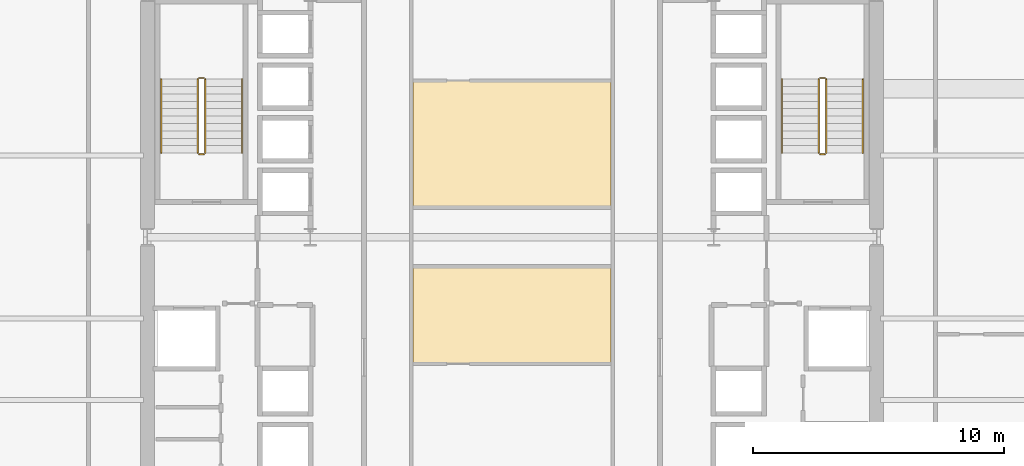
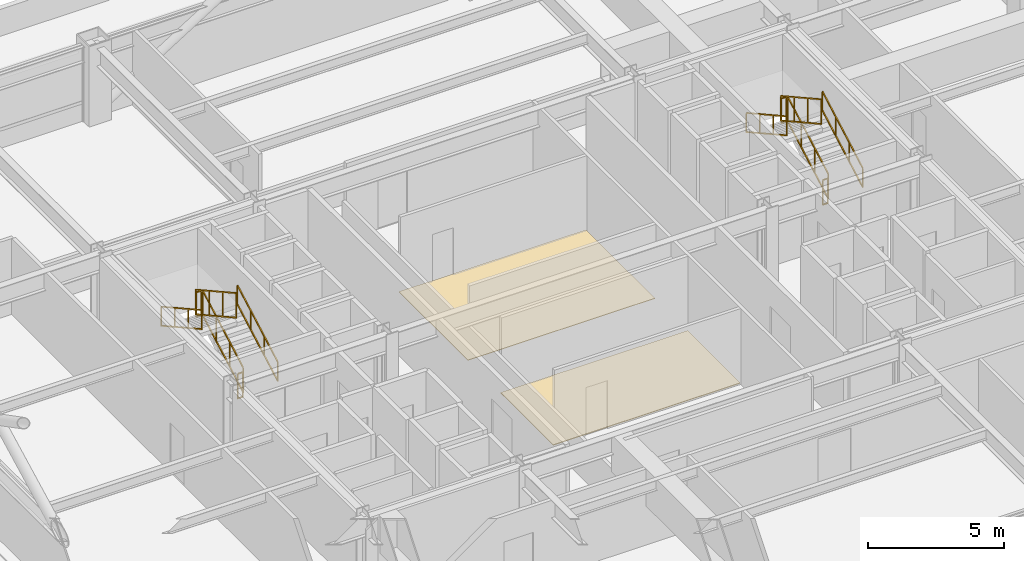
# One storey, part 33 of 33: 12 railings, 2 coverings.
"""IFC4 building model written with IfcOpenShell, lengths in metres."""

from ifc_helpers import new_model, si_unit, direction, frame, origin, origin_2d, place, context, subcontext, project, spatial, polyline, rectangle, outline, extrude, material, layer, layer_set, type_object, element, save


model = new_model("IFC4")

# Units and contexts
model_context = context("Model", 3, precision=1e-05, world=origin(), true_north=direction((0.0, 1.0)))
body_context = subcontext(model_context, "Body", "Model", "MODEL_VIEW")
ifc_project = project(units=[si_unit("LENGTHUNIT", "METRE"), si_unit("AREAUNIT", "SQUARE_METRE"), si_unit("VOLUMEUNIT", "CUBIC_METRE"), si_unit("PLANEANGLEUNIT", "RADIAN"), si_unit("MASSUNIT", "GRAM", prefix="KILO")], contexts=[model_context])

# Site, building, storey
site_placement = place(None, origin())
site = spatial("IfcSite", under=ifc_project, at=site_placement, CompositionType="ELEMENT")
building_placement = place(site_placement, origin())
building = spatial("IfcBuilding", under=site, at=building_placement, Name="Brelmoor Portico Tower", CompositionType="ELEMENT")
storey_placement = place(building_placement, frame((0.0, 0.0, 24.0)))
storey = spatial("IfcBuildingStorey", under=building, at=storey_placement, Name="L05", CompositionType="ELEMENT", Elevation=24.0)

# Coverings
ifc_material_1 = material(Name="Polished Pale-Aggregate Cementitious Terrazzo", Category="stone")
ifc_layer_1 = layer(ifc_material_1, 0.030029296875)
ifc_layer_set_1 = layer_set([ifc_layer_1], Name="Polished Pale-Aggregate Cementitious Terrazzo")
covering_type_1 = type_object("IfcCoveringType", Name="CV-FLR-TERRAZZO-30", PredefinedType="FLOORING", material=ifc_layer_set_1)
covering_1_placement = place(storey_placement, origin())
element("IfcCovering", 1, at=covering_1_placement, inside=storey, type_object=covering_type_1, Name="L05 Architectural Floor Finish 02", PredefinedType="FLOORING", context=body_context, shape_type="SweptSolid", body=[
    extrude(outline(polyline([(-3.9599609375, -5.06005859375), (-3.9599609375, -1.199951171875), (3.9599609375, -1.199951171875), (3.9599609375, -5.06005859375), (-3.9599609375, -5.06005859375)])), origin(), (0.0, 0.0, 1.0), 0.030029296875),
])
ifc_material_2 = material(Name="Engineered Quarter-Sawn Oak Parquet Flooring", Category="timber")
ifc_layer_2 = layer(ifc_material_2, 0.02197265625)
ifc_layer_set_2 = layer_set([ifc_layer_2], Name="Engineered Quarter-Sawn Oak Parquet Flooring")
covering_type_2 = type_object("IfcCoveringType", Name="CV-FLR-TIMBER-22", PredefinedType="FLOORING", material=ifc_layer_set_2)
covering_2_placement = place(storey_placement, origin())
element("IfcCovering", 2, at=covering_2_placement, inside=storey, type_object=covering_type_2, Name="L05 Architectural Floor Finish 01", PredefinedType="FLOORING", context=body_context, shape_type="SweptSolid", body=[
    extrude(outline(polyline([(-3.9599609375, 1.199951171875), (-3.9599609375, 6.260009765625), (3.9599609375, 6.260009765625), (3.9599609375, 1.199951171875), (-3.9599609375, 1.199951171875)])), origin(), (0.0, 0.0, 1.0), 0.02197265625),
])

# Railings
ifc_material_3 = material(Name="Painted Tubular Steel Q235B", Category="steel")
railing_type_1 = type_object("IfcRailingType", Name="RL-STAIR-GUARD", PredefinedType="GUARDRAIL", material=ifc_material_3)
railing_1_placement = place(storey_placement, frame((-12.239990234375, 3.35009765625, 0.16357421875)))
element("IfcRailing", 3, at=railing_1_placement, inside=storey, type_object=railing_type_1, Name="L05 ST-W stair guard 1", PredefinedType="GUARDRAIL", context=body_context, shape_type="SweptSolid", body=[
    extrude(rectangle(XDim=0.048095703125, YDim=0.048095703125, at=origin_2d()), frame((0.0, 0.0, 1.1259765625), z_axis=(0.0, 0.874457516365, 0.485102104791), x_axis=(-1.0, 0.0, 0.0)), (0.0, 0.0, 1.0), 3.37353515625),
    extrude(rectangle(XDim=0.048095703125, YDim=0.048095703125, at=origin_2d()), frame((0.0, 0.0, 0.02392578125), z_axis=(0.0, 0.874457516365, 0.485102104791), x_axis=(-1.0, 0.0, 0.0)), (0.0, 0.0, 1.0), 3.37353515625),
    extrude(rectangle(XDim=0.0419921875, YDim=0.0419921875, at=origin_2d()), origin(), (0.0, 0.0, 1.0), 1.101806640625),
    extrude(rectangle(XDim=0.0419921875, YDim=0.0419921875, at=origin_2d()), frame((0.0, 0.9833984375, 0.54541015625)), (0.0, 0.0, 1.0), 1.101806640625),
    extrude(rectangle(XDim=0.0419921875, YDim=0.0419921875, at=origin_2d()), frame((0.0, 1.966552734375, 1.091064453125)), (0.0, 0.0, 1.0), 1.101806640625),
    extrude(rectangle(XDim=0.0419921875, YDim=0.0419921875, at=origin_2d()), frame((0.0, 2.949951171875, 1.636474609375)), (0.0, 0.0, 1.0), 1.101806640625),
])
railing_2_placement = place(storey_placement, frame((-12.2900390625, 6.35009765625, 1.800048828125)))
element("IfcRailing", 4, at=railing_2_placement, inside=storey, type_object=railing_type_1, Name="L05 ST-W stair guard 2", PredefinedType="GUARDRAIL", context=body_context, shape_type="SweptSolid", body=[
    extrude(rectangle(XDim=0.048095703125, YDim=0.048095703125, at=origin_2d()), frame((0.0, 0.0, 1.1259765625), z_axis=(-1.0, 0.0, 0.0), x_axis=(0.0, -1.0, 0.0)), (0.0, 0.0, 1.0), 0.199951171875),
    extrude(rectangle(XDim=0.048095703125, YDim=0.048095703125, at=origin_2d()), frame((0.0, 0.0, 0.02392578125), z_axis=(-1.0, 0.0, 0.0), x_axis=(0.0, -1.0, 0.0)), (0.0, 0.0, 1.0), 0.199951171875),
    extrude(rectangle(XDim=0.0419921875, YDim=0.0419921875, at=origin_2d()), origin(), (0.0, 0.0, 1.0), 1.101806640625),
    extrude(rectangle(XDim=0.0419921875, YDim=0.0419921875, at=origin_2d()), frame((-0.199951171875, 0.0, 0.0)), (0.0, 0.0, 1.0), 1.101806640625),
])
railing_3_placement = place(storey_placement, frame((-12.5400390625, 6.300048828125, 1.963623046875)))
element("IfcRailing", 5, at=railing_3_placement, inside=storey, type_object=railing_type_1, Name="L05 ST-W stair guard 3", PredefinedType="GUARDRAIL", context=body_context, shape_type="SweptSolid", body=[
    extrude(rectangle(XDim=0.048095703125, YDim=0.048095703125, at=origin_2d()), frame((0.0, 0.0, 1.1259765625), z_axis=(0.0, -0.874457516365, 0.485102104791), x_axis=(1.0, 0.0, 0.0)), (0.0, 0.0, 1.0), 3.37353515625),
    extrude(rectangle(XDim=0.048095703125, YDim=0.048095703125, at=origin_2d()), frame((0.0, 0.0, 0.02392578125), z_axis=(0.0, -0.874457516365, 0.485102104791), x_axis=(1.0, 0.0, 0.0)), (0.0, 0.0, 1.0), 3.37353515625),
    extrude(rectangle(XDim=0.0419921875, YDim=0.0419921875, at=origin_2d()), origin(), (0.0, 0.0, 1.0), 1.101806640625),
    extrude(rectangle(XDim=0.0419921875, YDim=0.0419921875, at=origin_2d()), frame((0.0, -0.9833984375, 0.54541015625)), (0.0, 0.0, 1.0), 1.101806640625),
    extrude(rectangle(XDim=0.0419921875, YDim=0.0419921875, at=origin_2d()), frame((0.0, -1.966552734375, 1.091064453125)), (0.0, 0.0, 1.0), 1.101806640625),
    extrude(rectangle(XDim=0.0419921875, YDim=0.0419921875, at=origin_2d()), frame((0.0, -2.949951171875, 1.636474609375)), (0.0, 0.0, 1.0), 1.101806640625),
])
railing_4_placement = place(storey_placement, frame((-12.2900390625, 3.300048828125, 0.0)))
element("IfcRailing", 6, at=railing_4_placement, inside=storey, type_object=railing_type_1, Name="L05 ST-W stair guard 4", PredefinedType="GUARDRAIL", context=body_context, shape_type="SweptSolid", body=[
    extrude(rectangle(XDim=0.048095703125, YDim=0.048095703125, at=origin_2d()), frame((0.0, 0.0, 1.1259765625), z_axis=(-1.0, 0.0, 0.0), x_axis=(0.0, -1.0, 0.0)), (0.0, 0.0, 1.0), 0.199951171875),
    extrude(rectangle(XDim=0.048095703125, YDim=0.048095703125, at=origin_2d()), frame((0.0, 0.0, 0.02392578125), z_axis=(-1.0, 0.0, 0.0), x_axis=(0.0, -1.0, 0.0)), (0.0, 0.0, 1.0), 0.199951171875),
    extrude(rectangle(XDim=0.0419921875, YDim=0.0419921875, at=origin_2d()), origin(), (0.0, 0.0, 1.0), 1.101806640625),
    extrude(rectangle(XDim=0.0419921875, YDim=0.0419921875, at=origin_2d()), frame((-0.199951171875, 0.0, 0.0)), (0.0, 0.0, 1.0), 1.101806640625),
])
railing_5_placement = place(storey_placement, frame((12.5400390625, 3.35009765625, 0.16357421875)))
element("IfcRailing", 7, at=railing_5_placement, inside=storey, type_object=railing_type_1, Name="L05 ST-E stair guard 1", PredefinedType="GUARDRAIL", context=body_context, shape_type="SweptSolid", body=[
    extrude(rectangle(XDim=0.048095703125, YDim=0.048095703125, at=origin_2d()), frame((0.0, 0.0, 1.1259765625), z_axis=(0.0, 0.874457516365, 0.485102104791), x_axis=(-1.0, 0.0, 0.0)), (0.0, 0.0, 1.0), 3.37353515625),
    extrude(rectangle(XDim=0.048095703125, YDim=0.048095703125, at=origin_2d()), frame((0.0, 0.0, 0.02392578125), z_axis=(0.0, 0.874457516365, 0.485102104791), x_axis=(-1.0, 0.0, 0.0)), (0.0, 0.0, 1.0), 3.37353515625),
    extrude(rectangle(XDim=0.0419921875, YDim=0.0419921875, at=origin_2d()), origin(), (0.0, 0.0, 1.0), 1.101806640625),
    extrude(rectangle(XDim=0.0419921875, YDim=0.0419921875, at=origin_2d()), frame((0.0, 0.9833984375, 0.54541015625)), (0.0, 0.0, 1.0), 1.101806640625),
    extrude(rectangle(XDim=0.0419921875, YDim=0.0419921875, at=origin_2d()), frame((0.0, 1.966552734375, 1.091064453125)), (0.0, 0.0, 1.0), 1.101806640625),
    extrude(rectangle(XDim=0.0419921875, YDim=0.0419921875, at=origin_2d()), frame((0.0, 2.949951171875, 1.636474609375)), (0.0, 0.0, 1.0), 1.101806640625),
])
railing_6_placement = place(storey_placement, frame((12.489990234375, 6.35009765625, 1.800048828125)))
element("IfcRailing", 8, at=railing_6_placement, inside=storey, type_object=railing_type_1, Name="L05 ST-E stair guard 2", PredefinedType="GUARDRAIL", context=body_context, shape_type="SweptSolid", body=[
    extrude(rectangle(XDim=0.048095703125, YDim=0.048095703125, at=origin_2d()), frame((0.0, 0.0, 1.1259765625), z_axis=(-1.0, 0.0, 0.0), x_axis=(0.0, -1.0, 0.0)), (0.0, 0.0, 1.0), 0.199951171875),
    extrude(rectangle(XDim=0.048095703125, YDim=0.048095703125, at=origin_2d()), frame((0.0, 0.0, 0.02392578125), z_axis=(-1.0, 0.0, 0.0), x_axis=(0.0, -1.0, 0.0)), (0.0, 0.0, 1.0), 0.199951171875),
    extrude(rectangle(XDim=0.0419921875, YDim=0.0419921875, at=origin_2d()), origin(), (0.0, 0.0, 1.0), 1.101806640625),
    extrude(rectangle(XDim=0.0419921875, YDim=0.0419921875, at=origin_2d()), frame((-0.199951171875, 0.0, 0.0)), (0.0, 0.0, 1.0), 1.101806640625),
])
railing_7_placement = place(storey_placement, frame((12.239990234375, 6.300048828125, 1.963623046875)))
element("IfcRailing", 9, at=railing_7_placement, inside=storey, type_object=railing_type_1, Name="L05 ST-E stair guard 3", PredefinedType="GUARDRAIL", context=body_context, shape_type="SweptSolid", body=[
    extrude(rectangle(XDim=0.048095703125, YDim=0.048095703125, at=origin_2d()), frame((0.0, 0.0, 1.1259765625), z_axis=(0.0, -0.874457516365, 0.485102104791), x_axis=(1.0, 0.0, 0.0)), (0.0, 0.0, 1.0), 3.37353515625),
    extrude(rectangle(XDim=0.048095703125, YDim=0.048095703125, at=origin_2d()), frame((0.0, 0.0, 0.02392578125), z_axis=(0.0, -0.874457516365, 0.485102104791), x_axis=(1.0, 0.0, 0.0)), (0.0, 0.0, 1.0), 3.37353515625),
    extrude(rectangle(XDim=0.0419921875, YDim=0.0419921875, at=origin_2d()), origin(), (0.0, 0.0, 1.0), 1.101806640625),
    extrude(rectangle(XDim=0.0419921875, YDim=0.0419921875, at=origin_2d()), frame((0.0, -0.9833984375, 0.54541015625)), (0.0, 0.0, 1.0), 1.101806640625),
    extrude(rectangle(XDim=0.0419921875, YDim=0.0419921875, at=origin_2d()), frame((0.0, -1.966552734375, 1.091064453125)), (0.0, 0.0, 1.0), 1.101806640625),
    extrude(rectangle(XDim=0.0419921875, YDim=0.0419921875, at=origin_2d()), frame((0.0, -2.949951171875, 1.636474609375)), (0.0, 0.0, 1.0), 1.101806640625),
])
railing_8_placement = place(storey_placement, frame((12.489990234375, 3.300048828125, 0.0)))
element("IfcRailing", 10, at=railing_8_placement, inside=storey, type_object=railing_type_1, Name="L05 ST-E stair guard 4", PredefinedType="GUARDRAIL", context=body_context, shape_type="SweptSolid", body=[
    extrude(rectangle(XDim=0.048095703125, YDim=0.048095703125, at=origin_2d()), frame((0.0, 0.0, 1.1259765625), z_axis=(-1.0, 0.0, 0.0), x_axis=(0.0, -1.0, 0.0)), (0.0, 0.0, 1.0), 0.199951171875),
    extrude(rectangle(XDim=0.048095703125, YDim=0.048095703125, at=origin_2d()), frame((0.0, 0.0, 0.02392578125), z_axis=(-1.0, 0.0, 0.0), x_axis=(0.0, -1.0, 0.0)), (0.0, 0.0, 1.0), 0.199951171875),
    extrude(rectangle(XDim=0.0419921875, YDim=0.0419921875, at=origin_2d()), origin(), (0.0, 0.0, 1.0), 1.101806640625),
    extrude(rectangle(XDim=0.0419921875, YDim=0.0419921875, at=origin_2d()), frame((-0.199951171875, 0.0, 0.0)), (0.0, 0.0, 1.0), 1.101806640625),
])
ifc_material_4 = material(Name="Brushed Stainless Steel 304", Category="steel")
railing_type_2 = type_object("IfcRailingType", Name="RL-STAIR-HANDRAIL", PredefinedType="HANDRAIL", material=ifc_material_4)
railing_9_placement = place(storey_placement, frame((-10.780029296875, 3.35009765625, 0.16357421875)))
element("IfcRailing", 11, at=railing_9_placement, inside=storey, type_object=railing_type_2, Name="L05 ST-W stair handrail 1", PredefinedType="HANDRAIL", context=body_context, shape_type="SweptSolid", body=[
    extrude(rectangle(XDim=0.048095703125, YDim=0.048095703125, at=origin_2d()), frame((0.0, 0.0, 0.8759765625), z_axis=(0.0, 0.874457516365, 0.485102104791), x_axis=(-1.0, 0.0, 0.0)), (0.0, 0.0, 1.0), 3.37353515625),
    extrude(rectangle(XDim=0.048095703125, YDim=0.048095703125, at=origin_2d()), frame((0.0, 0.0, 0.02392578125), z_axis=(0.0, 0.874457516365, 0.485102104791), x_axis=(-1.0, 0.0, 0.0)), (0.0, 0.0, 1.0), 3.37353515625),
    extrude(rectangle(XDim=0.0419921875, YDim=0.0419921875, at=origin_2d()), origin(), (0.0, 0.0, 1.0), 0.851806640625),
    extrude(rectangle(XDim=0.0419921875, YDim=0.0419921875, at=origin_2d()), frame((0.0, 0.9833984375, 0.54541015625)), (0.0, 0.0, 1.0), 0.851806640625),
    extrude(rectangle(XDim=0.0419921875, YDim=0.0419921875, at=origin_2d()), frame((0.0, 1.966552734375, 1.091064453125)), (0.0, 0.0, 1.0), 0.851806640625),
    extrude(rectangle(XDim=0.0419921875, YDim=0.0419921875, at=origin_2d()), frame((0.0, 2.949951171875, 1.636474609375)), (0.0, 0.0, 1.0), 0.851806640625),
])
railing_10_placement = place(storey_placement, frame((-14.0, 6.300048828125, 1.963623046875)))
element("IfcRailing", 12, at=railing_10_placement, inside=storey, type_object=railing_type_2, Name="L05 ST-W stair handrail 2", PredefinedType="HANDRAIL", context=body_context, shape_type="SweptSolid", body=[
    extrude(rectangle(XDim=0.048095703125, YDim=0.048095703125, at=origin_2d()), frame((0.0, 0.0, 0.8759765625), z_axis=(0.0, -0.874457516365, 0.485102104791), x_axis=(1.0, 0.0, 0.0)), (0.0, 0.0, 1.0), 3.37353515625),
    extrude(rectangle(XDim=0.048095703125, YDim=0.048095703125, at=origin_2d()), frame((0.0, 0.0, 0.02392578125), z_axis=(0.0, -0.874457516365, 0.485102104791), x_axis=(1.0, 0.0, 0.0)), (0.0, 0.0, 1.0), 3.37353515625),
    extrude(rectangle(XDim=0.0419921875, YDim=0.0419921875, at=origin_2d()), origin(), (0.0, 0.0, 1.0), 0.851806640625),
    extrude(rectangle(XDim=0.0419921875, YDim=0.0419921875, at=origin_2d()), frame((0.0, -0.9833984375, 0.54541015625)), (0.0, 0.0, 1.0), 0.851806640625),
    extrude(rectangle(XDim=0.0419921875, YDim=0.0419921875, at=origin_2d()), frame((0.0, -1.966552734375, 1.091064453125)), (0.0, 0.0, 1.0), 0.851806640625),
    extrude(rectangle(XDim=0.0419921875, YDim=0.0419921875, at=origin_2d()), frame((0.0, -2.949951171875, 1.636474609375)), (0.0, 0.0, 1.0), 0.851806640625),
])
railing_11_placement = place(storey_placement, frame((14.0, 3.35009765625, 0.16357421875)))
element("IfcRailing", 13, at=railing_11_placement, inside=storey, type_object=railing_type_2, Name="L05 ST-E stair handrail 1", PredefinedType="HANDRAIL", context=body_context, shape_type="SweptSolid", body=[
    extrude(rectangle(XDim=0.048095703125, YDim=0.048095703125, at=origin_2d()), frame((0.0, 0.0, 0.8759765625), z_axis=(0.0, 0.874457516365, 0.485102104791), x_axis=(-1.0, 0.0, 0.0)), (0.0, 0.0, 1.0), 3.37353515625),
    extrude(rectangle(XDim=0.048095703125, YDim=0.048095703125, at=origin_2d()), frame((0.0, 0.0, 0.02392578125), z_axis=(0.0, 0.874457516365, 0.485102104791), x_axis=(-1.0, 0.0, 0.0)), (0.0, 0.0, 1.0), 3.37353515625),
    extrude(rectangle(XDim=0.0419921875, YDim=0.0419921875, at=origin_2d()), origin(), (0.0, 0.0, 1.0), 0.851806640625),
    extrude(rectangle(XDim=0.0419921875, YDim=0.0419921875, at=origin_2d()), frame((0.0, 0.9833984375, 0.54541015625)), (0.0, 0.0, 1.0), 0.851806640625),
    extrude(rectangle(XDim=0.0419921875, YDim=0.0419921875, at=origin_2d()), frame((0.0, 1.966552734375, 1.091064453125)), (0.0, 0.0, 1.0), 0.851806640625),
    extrude(rectangle(XDim=0.0419921875, YDim=0.0419921875, at=origin_2d()), frame((0.0, 2.949951171875, 1.636474609375)), (0.0, 0.0, 1.0), 0.851806640625),
])
railing_12_placement = place(storey_placement, frame((10.780029296875, 6.300048828125, 1.963623046875)))
element("IfcRailing", 14, at=railing_12_placement, inside=storey, type_object=railing_type_2, Name="L05 ST-E stair handrail 2", PredefinedType="HANDRAIL", context=body_context, shape_type="SweptSolid", body=[
    extrude(rectangle(XDim=0.048095703125, YDim=0.048095703125, at=origin_2d()), frame((0.0, 0.0, 0.8759765625), z_axis=(0.0, -0.874457516365, 0.485102104791), x_axis=(1.0, 0.0, 0.0)), (0.0, 0.0, 1.0), 3.37353515625),
    extrude(rectangle(XDim=0.048095703125, YDim=0.048095703125, at=origin_2d()), frame((0.0, 0.0, 0.02392578125), z_axis=(0.0, -0.874457516365, 0.485102104791), x_axis=(1.0, 0.0, 0.0)), (0.0, 0.0, 1.0), 3.37353515625),
    extrude(rectangle(XDim=0.0419921875, YDim=0.0419921875, at=origin_2d()), origin(), (0.0, 0.0, 1.0), 0.851806640625),
    extrude(rectangle(XDim=0.0419921875, YDim=0.0419921875, at=origin_2d()), frame((0.0, -0.9833984375, 0.54541015625)), (0.0, 0.0, 1.0), 0.851806640625),
    extrude(rectangle(XDim=0.0419921875, YDim=0.0419921875, at=origin_2d()), frame((0.0, -1.966552734375, 1.091064453125)), (0.0, 0.0, 1.0), 0.851806640625),
    extrude(rectangle(XDim=0.0419921875, YDim=0.0419921875, at=origin_2d()), frame((0.0, -2.949951171875, 1.636474609375)), (0.0, 0.0, 1.0), 0.851806640625),
])

save(model, "model.ifc")
